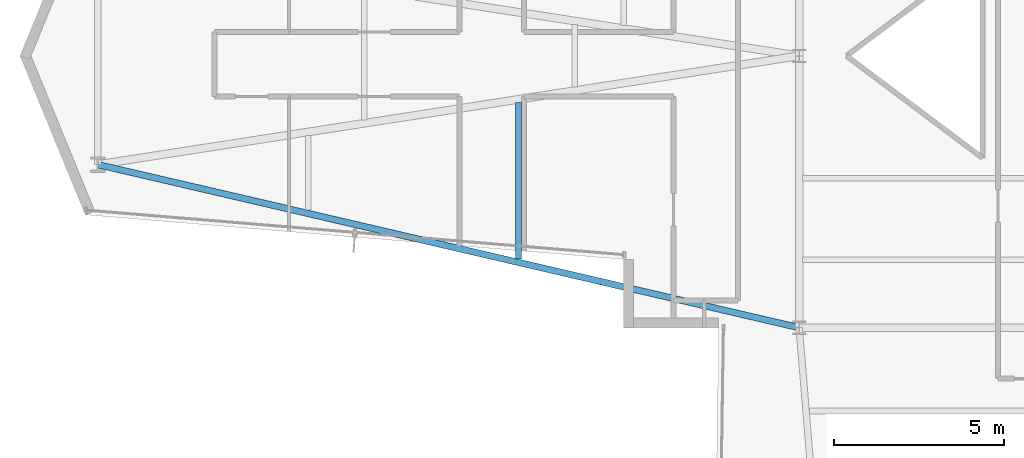
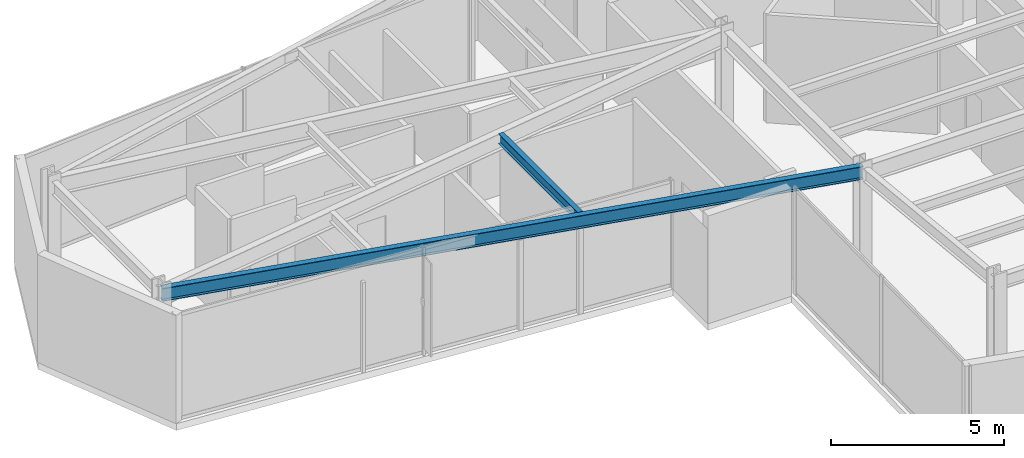
# One storey, part 3 of 25: 2 beams.
"""IFC4 building model written with IfcOpenShell, lengths in metres."""

from ifc_helpers import new_model, si_unit, direction, frame, origin, origin_2d, place, context, subcontext, project, spatial, i_section, extrude, material, material_profile, profile_set, type_object, element, save


model = new_model("IFC4")

# Units and contexts
model_context = context("Model", 3, precision=1e-05, world=origin(), true_north=direction((0.0, 1.0)))
body_context = subcontext(model_context, "Body", "Model", "MODEL_VIEW")
ifc_project = project(units=[si_unit("LENGTHUNIT", "METRE"), si_unit("AREAUNIT", "SQUARE_METRE"), si_unit("VOLUMEUNIT", "CUBIC_METRE"), si_unit("PLANEANGLEUNIT", "RADIAN"), si_unit("MASSUNIT", "GRAM", prefix="KILO")], contexts=[model_context])

# Site, building, storey
site_placement = place(None, origin())
site = spatial("IfcSite", under=ifc_project, at=site_placement, CompositionType="ELEMENT")
building_placement = place(site_placement, origin())
building = spatial("IfcBuilding", under=site, at=building_placement, Name="Veymaron Broadcast Tower", CompositionType="ELEMENT")
storey_placement = place(building_placement, frame((0.0, 0.0, 120.89990234375)))
storey = spatial("IfcBuildingStorey", under=building, at=storey_placement, Name="L27", CompositionType="ELEMENT", Elevation=120.89990234375)

# Beams
ifc_material = material(Name="Structural steel ASTM A992 Gr 50", Category="steel")
ifc_material_profile_1 = material_profile(ifc_material, i_section(OverallWidth=0.1708984375, OverallDepth=0.35498046875, WebThickness=0.007080078125, FlangeThickness=0.01171875, at=origin_2d()), Name="W360X51")
ifc_profile_set_1 = profile_set([ifc_material_profile_1], Name="Structural steel ASTM A992 Gr 50")
beam_type_1 = type_object("IfcBeamType", Name="BM-JS2", PredefinedType="JOIST", material=ifc_profile_set_1)
beam_1_placement = place(storey_placement, frame((22.944091796875, 18.02001953125, 3.632568359375), z_axis=(0.0, 1.0, 0.0), x_axis=(-1.0, 0.0, 0.0)))
element("IfcBeam", 1, at=beam_1_placement, inside=storey, type_object=beam_type_1, Name="L27 Arm-A secondary joist 2S", PredefinedType="JOIST", context=body_context, shape_type="SweptSolid", body=[
    extrude(i_section(OverallWidth=0.1708984375, OverallDepth=0.35498046875, WebThickness=0.007080078125, FlangeThickness=0.01171875, at=origin_2d()), origin(), (0.0, 0.0, 1.0), 4.60009765625),
])
ifc_material_profile_2 = material_profile(ifc_material, i_section(OverallWidth=0.19091796875, OverallDepth=0.4599609375, WebThickness=0.010009765625, FlangeThickness=0.01611328125, at=origin_2d()), Name="W460X82")
ifc_profile_set_2 = profile_set([ifc_material_profile_2], Name="Structural steel ASTM A992 Gr 50")
beam_type_2 = type_object("IfcBeamType", Name="BM-SP1", PredefinedType="SPANDREL", material=ifc_profile_set_2)
beam_2_placement = place(storey_placement, frame((10.56005859375, 20.800048828125, 3.580078125), z_axis=(0.974007258565, -0.226516799075, 0.0), x_axis=(0.226516799075, 0.974007258565, 0.0)))
element("IfcBeam", 2, at=beam_2_placement, inside=storey, type_object=beam_type_2, Name="L27 primary structural floor girder", PredefinedType="SPANDREL", context=body_context, shape_type="SweptSolid", body=[
    extrude(i_section(OverallWidth=0.19091796875, OverallDepth=0.4599609375, WebThickness=0.010009765625, FlangeThickness=0.01611328125, at=origin_2d()), origin(), (0.0, 0.0, 1.0), 21.190673828125),
])

save(model, "model.ifc")
